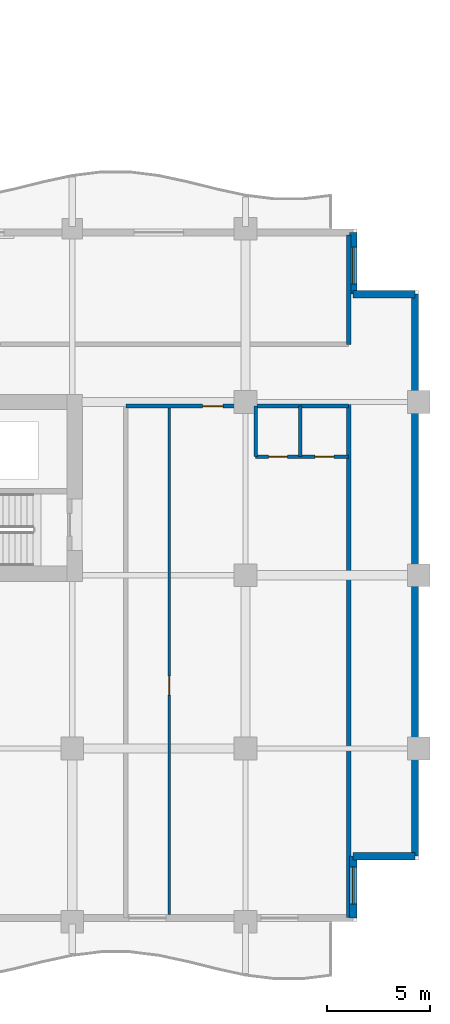
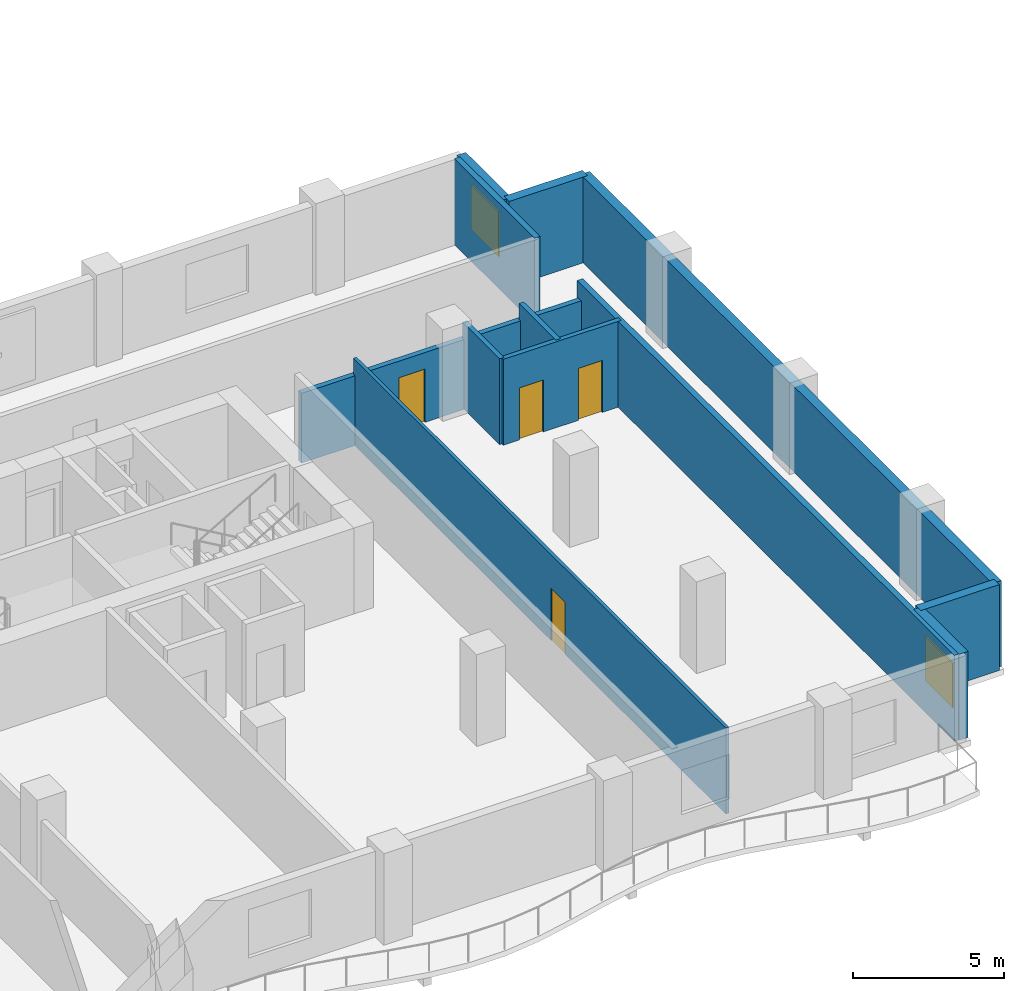
# One storey, part 9 of 16: 12 walls, 4 doors, 2 windows, 6 openings.
"""IFC4 building model written with IfcOpenShell, lengths in metres."""

from ifc_helpers import new_model, si_unit, direction, frame, frame_2d, origin, place, context, subcontext, project, spatial, rectangle, extrude, material, layer, layer_set, type_object, element, fill, save


model = new_model("IFC4")

# Units and contexts
model_context = context("Model", 3, precision=1e-05, world=origin(), true_north=direction((0.0, 1.0)))
body_context = subcontext(model_context, "Body", "Model", "MODEL_VIEW")
ifc_project = project(units=[si_unit("LENGTHUNIT", "METRE"), si_unit("AREAUNIT", "SQUARE_METRE"), si_unit("VOLUMEUNIT", "CUBIC_METRE"), si_unit("PLANEANGLEUNIT", "RADIAN"), si_unit("MASSUNIT", "GRAM", prefix="KILO")], contexts=[model_context])

# Site, building, storey
site_placement = place(None, origin())
site = spatial("IfcSite", under=ifc_project, at=site_placement, CompositionType="ELEMENT")
building_placement = place(site_placement, origin())
building = spatial("IfcBuilding", under=site, at=building_placement, Name="Koriwani Terraces Tower", CompositionType="ELEMENT")
storey_placement = place(building_placement, frame((0.0, 0.0, 186.5)))
storey = spatial("IfcBuildingStorey", under=building, at=storey_placement, Name="L45", CompositionType="ELEMENT", Elevation=186.5)

# Wall, opening, door
ifc_material_1 = material(Name="Autoclaved Cellular Concrete Blockwork", Category="masonry")
ifc_layer_1 = layer(ifc_material_1, 0.199951171875, Name="Autoclaved Cellular Concrete Blockwork")
ifc_layer_set_1 = layer_set([ifc_layer_1], Name="Autoclaved Cellular Concrete Blockwork")
wall_type_1 = type_object("IfcWallType", Name="WALL_CORRIDOR_200", PredefinedType="PARTITIONING", material=ifc_layer_set_1)
wall_1_placement = place(storey_placement, frame((61.39990234375, 25.0, 0.0), z_axis=(0.0, 0.0, 1.0), x_axis=(1.0, 0.0, 0.0)))
wall_1 = element("IfcWall", 1, at=wall_1_placement, inside=storey, type_object=wall_type_1, Name="L45 Interior Wall WRCOR-L45-SE-0", PredefinedType="PARTITIONING", context=body_context, shape_type="SweptSolid", body=[
    extrude(rectangle(XDim=10.800048828125, YDim=0.199951171875, at=frame_2d((5.39990234375, 0.0))), origin(), (0.0, 0.0, 1.0), 2.820068359375),
])
opening_1_placement = place(wall_1_placement, frame((3.719970703125, 0.0, 0.0)))
opening_1 = element("IfcOpeningElement", 2, at=opening_1_placement, cuts=wall_1, Name="Opening D-05", PredefinedType="OPENING", context=body_context, shape_type="SweptSolid", body=[
    extrude(rectangle(XDim=1.0, YDim=2.14990234375, at=frame_2d((0.5, 1.074951171875))), frame((0.0, 0.10986328125, 0.0), z_axis=(0.0, -1.0, 0.0), x_axis=(1.0, 0.0, 0.0)), (0.0, 0.0, 1.0), 0.219970703125),
])
ifc_material_2 = material(Name="Architectural Oak Fire Door", Category="wood")
door_type_1 = type_object("IfcDoorType", Name="DOOR_SUITE_ENTRY_1000X2150", OperationType="NOTDEFINED", PredefinedType="DOOR", material=ifc_material_2)
door_1_placement = place(opening_1_placement, origin())
door_1 = element("IfcDoor", 3, at=door_1_placement, inside=storey, type_object=door_type_1, Name="Apartment 45SE1 Entrance Door", OperationType="SINGLE_SWING_RIGHT", OverallHeight=2.14990234375, OverallWidth=1.0, PredefinedType="DOOR", context=body_context, shape_type="SweptSolid", body=[
    extrude(rectangle(XDim=1.0, YDim=2.14990234375, at=frame_2d((0.5, 1.074951171875))), frame((0.0, 0.02490234375, 0.0), z_axis=(0.0, -1.0, 0.0), x_axis=(1.0, 0.0, 0.0)), (0.0, 0.0, 1.0), 0.050048828125),
])
fill(opening_1, door_1)

# Walls
ifc_layer_2 = layer(ifc_material_1, 0.219970703125, Name="Autoclaved Cellular Concrete Blockwork")
ifc_layer_set_2 = layer_set([ifc_layer_2], Name="Autoclaved Cellular Concrete Blockwork")
wall_type_2 = type_object("IfcWallType", Name="WALL_DEMISING_220", PredefinedType="PARTITIONING", material=ifc_layer_set_2)
wall_2_placement = place(storey_placement, frame((72.199951171875, 0.199951171875, 0.0), z_axis=(0.0, 0.0, 1.0), x_axis=(0.0, 1.0, 0.0)))
element("IfcWall", 4, at=wall_2_placement, inside=storey, type_object=wall_type_2, Name="L45 Interior Wall WRDEME-L45-SE", PredefinedType="PARTITIONING", context=body_context, shape_type="SweptSolid", body=[
    extrude(rectangle(XDim=24.97998046875, YDim=0.219970703125, at=frame_2d((12.489990234375, 0.0))), origin(), (0.0, 0.0, 1.0), 3.469970703125),
])
wall_3_placement = place(storey_placement, frame((72.199951171875, 28.0, 0.0), z_axis=(0.0, 0.0, 1.0), x_axis=(0.0, 1.0, 0.0)))
element("IfcWall", 5, at=wall_3_placement, inside=storey, type_object=wall_type_2, Name="L45 Interior Wall WSEC-E-L45", PredefinedType="PARTITIONING", context=body_context, shape_type="SweptSolid", body=[
    extrude(rectangle(XDim=5.300048828125, YDim=0.219970703125, at=frame_2d((2.64990234375, 0.0))), origin(), (0.0, 0.0, 1.0), 3.469970703125),
])

# Wall, opening, window
ifc_material_3 = material(Name="Concrete C50/60", Category="concrete")
ifc_layer_3 = layer(ifc_material_3, 0.35009765625, Name="Concrete C50/60")
ifc_layer_set_3 = layer_set([ifc_layer_3], Name="Concrete C50/60")
wall_type_3 = type_object("IfcWallType", Name="WALL_EXT_BRUTALIST_350", PredefinedType="STANDARD", material=ifc_layer_set_3)
wall_4_placement = place(storey_placement, frame((72.425048828125, 33.425048828125, 0.0), z_axis=(0.0, 0.0, 1.0), x_axis=(0.0, -1.0, 0.0)))
wall_4 = element("IfcWall", 6, at=wall_4_placement, inside=storey, type_object=wall_type_3, Name="L45 Fair-Faced Brutalist Exterior Wall (N10)", PredefinedType="STANDARD", context=body_context, shape_type="SweptSolid", body=[
    extrude(rectangle(XDim=3.0, YDim=0.35009765625, at=frame_2d((1.5, 0.0))), origin(), (0.0, 0.0, 1.0), 3.469970703125),
])
opening_2_placement = place(wall_4_placement, frame((0.71240234375, 0.0, 0.85009765625)))
opening_2 = element("IfcOpeningElement", 7, at=opening_2_placement, cuts=wall_4, Name="Opening W-04", PredefinedType="OPENING", context=body_context, shape_type="SweptSolid", body=[
    extrude(rectangle(XDim=1.800048828125, YDim=1.800048828125, at=frame_2d((0.89990234375, 0.89990234375))), frame((0.0, 0.18505859375, 0.0), z_axis=(0.0, -1.0, 0.0), x_axis=(1.0, 0.0, 0.0)), (0.0, 0.0, 1.0), 0.3701171875),
])
ifc_material_4 = material(Name="Tempered Laminated Low-E Glass", Category="glass")
window_type = type_object("IfcWindowType", Name="WIN_RES_BED_1800X1800", PartitioningType="DOUBLE_PANEL_VERTICAL", PredefinedType="WINDOW", material=ifc_material_4)
window_1_placement = place(opening_2_placement, origin())
window_1 = element("IfcWindow", 8, at=window_1_placement, inside=storey, type_object=window_type, Name="L45 Exterior Window (N10-R62)", OverallHeight=1.800048828125, OverallWidth=1.800048828125, PartitioningType="SINGLE_PANEL", PredefinedType="WINDOW", context=body_context, shape_type="SweptSolid", body=[
    extrude(rectangle(XDim=1.800048828125, YDim=1.800048828125, at=frame_2d((0.89990234375, 0.89990234375))), frame((0.0, 0.030029296875, 0.0), z_axis=(0.0, -1.0, 0.0), x_axis=(1.0, 0.0, 0.0)), (0.0, 0.0, 1.0), 0.06005859375),
])
fill(opening_2, window_1)

# Walls
wall_5_placement = place(storey_placement, frame((72.425048828125, 30.425048828125, 0.0), z_axis=(0.0, 0.0, 1.0), x_axis=(1.0, 0.0, 0.0)))
element("IfcWall", 9, at=wall_5_placement, inside=storey, type_object=wall_type_3, Name="L45 Fair-Faced Brutalist Exterior Wall (N11)", PredefinedType="STANDARD", context=body_context, shape_type="SweptSolid", body=[
    extrude(rectangle(XDim=3.0, YDim=0.35009765625, at=frame_2d((1.5, 0.0))), origin(), (0.0, 0.0, 1.0), 3.469970703125),
])
wall_6_placement = place(storey_placement, frame((75.425048828125, 30.425048828125, 0.0), z_axis=(0.0, 0.0, 1.0), x_axis=(0.0, -1.0, 0.0)))
element("IfcWall", 10, at=wall_6_placement, inside=storey, type_object=wall_type_3, Name="L45 Fair-Faced Brutalist Exterior Wall (E_TIP)", PredefinedType="STANDARD", context=body_context, shape_type="SweptSolid", body=[
    extrude(rectangle(XDim=27.25, YDim=0.35009765625, at=frame_2d((13.625, 0.0))), origin(), (0.0, 0.0, 1.0), 3.469970703125),
])
wall_7_placement = place(storey_placement, frame((75.425048828125, 3.175048828125, 0.0), z_axis=(0.0, 0.0, 1.0), x_axis=(-1.0, 0.0, 0.0)))
element("IfcWall", 11, at=wall_7_placement, inside=storey, type_object=wall_type_3, Name="L45 Fair-Faced Brutalist Exterior Wall (N13)", PredefinedType="STANDARD", context=body_context, shape_type="SweptSolid", body=[
    extrude(rectangle(XDim=3.0, YDim=0.35009765625, at=frame_2d((1.5, 0.0))), origin(), (0.0, 0.0, 1.0), 3.469970703125),
])

# Wall, opening, window
wall_8_placement = place(storey_placement, frame((72.425048828125, 3.175048828125, 0.0), z_axis=(0.0, 0.0, 1.0), x_axis=(0.0, -1.0, 0.0)))
wall_8 = element("IfcWall", 12, at=wall_8_placement, inside=storey, type_object=wall_type_3, Name="L45 Fair-Faced Brutalist Exterior Wall (N14)", PredefinedType="STANDARD", context=body_context, shape_type="SweptSolid", body=[
    extrude(rectangle(XDim=3.0, YDim=0.35009765625, at=frame_2d((1.5, 0.0))), origin(), (0.0, 0.0, 1.0), 3.469970703125),
])
opening_3_placement = place(wall_8_placement, frame((0.5224609375, 0.0, 0.85009765625)))
opening_3 = element("IfcOpeningElement", 13, at=opening_3_placement, cuts=wall_8, Name="Opening W-04", PredefinedType="OPENING", context=body_context, shape_type="SweptSolid", body=[
    extrude(rectangle(XDim=1.800048828125, YDim=1.800048828125, at=frame_2d((0.89990234375, 0.89990234375))), frame((0.0, 0.18505859375, 0.0), z_axis=(0.0, -1.0, 0.0), x_axis=(1.0, 0.0, 0.0)), (0.0, 0.0, 1.0), 0.3701171875),
])
window_2_placement = place(opening_3_placement, origin())
window_2 = element("IfcWindow", 14, at=window_2_placement, inside=storey, type_object=window_type, Name="L45 Exterior Window (N14-R61)", OverallHeight=1.800048828125, OverallWidth=1.800048828125, PartitioningType="SINGLE_PANEL", PredefinedType="WINDOW", context=body_context, shape_type="SweptSolid", body=[
    extrude(rectangle(XDim=1.800048828125, YDim=1.800048828125, at=frame_2d((0.89990234375, 0.89990234375))), frame((0.0, 0.030029296875, 0.0), z_axis=(0.0, -1.0, 0.0), x_axis=(1.0, 0.0, 0.0)), (0.0, 0.0, 1.0), 0.06005859375),
])
fill(opening_3, window_2)

# Wall, opening, door
ifc_material_5 = material(Name="Fire-Rated Acoustic Gypsum Partition", Category="masonry")
ifc_layer_4 = layer(ifc_material_5, 0.125, Name="Fire-Rated Acoustic Gypsum Partition")
ifc_layer_set_4 = layer_set([ifc_layer_4], Name="Fire-Rated Acoustic Gypsum Partition")
wall_type_4 = type_object("IfcWallType", Name="WALL_INT_125", PredefinedType="PARTITIONING", material=ifc_layer_set_4)
wall_9_placement = place(storey_placement, frame((63.5, 0.35009765625, 0.0), z_axis=(0.0, 0.0, 1.0), x_axis=(0.0, 1.0, 0.0)))
wall_9 = element("IfcWall", 15, at=wall_9_placement, inside=storey, type_object=wall_type_4, Name="L45 Interior Wall WRBED1-L45-SE-0", PredefinedType="PARTITIONING", context=body_context, shape_type="SweptSolid", body=[
    extrude(rectangle(XDim=24.64990234375, YDim=0.125, at=frame_2d((12.324951171875, 0.0))), origin(), (0.0, 0.0, 1.0), 3.469970703125),
])
opening_4_placement = place(wall_9_placement, frame((10.639892578125, 0.0, 0.0)))
opening_4 = element("IfcOpeningElement", 16, at=opening_4_placement, cuts=wall_9, Name="Opening D-06", PredefinedType="OPENING", context=body_context, shape_type="SweptSolid", body=[
    extrude(rectangle(XDim=0.919921875, YDim=2.10009765625, at=frame_2d((0.4599609375, 1.050048828125))), frame((0.0, 0.072509765625, 0.0), z_axis=(0.0, -1.0, 0.0), x_axis=(1.0, 0.0, 0.0)), (0.0, 0.0, 1.0), 0.14501953125),
])
door_type_2 = type_object("IfcDoorType", Name="DOOR_ROOM_INT_920X2100", OperationType="NOTDEFINED", PredefinedType="DOOR", material=ifc_material_2)
door_2_placement = place(opening_4_placement, origin())
door_2 = element("IfcDoor", 17, at=door_2_placement, inside=storey, type_object=door_type_2, Name="Apartment 45SE1 Master Bedroom Door", OperationType="SINGLE_SWING_LEFT", OverallHeight=2.10009765625, OverallWidth=0.919921875, PredefinedType="DOOR", context=body_context, shape_type="SweptSolid", body=[
    extrude(rectangle(XDim=0.919921875, YDim=2.10009765625, at=frame_2d((0.4599609375, 1.050048828125))), frame((0.0, 0.02490234375, 0.0), z_axis=(0.0, -1.0, 0.0), x_axis=(1.0, 0.0, 0.0)), (0.0, 0.0, 1.0), 0.050048828125),
])
fill(opening_4, door_2)

# Wall, openings, doors
ifc_layer_5 = layer(ifc_material_5, 0.179931640625, Name="Fire-Rated Acoustic Gypsum Partition")
ifc_layer_set_5 = layer_set([ifc_layer_5], Name="Fire-Rated Acoustic Gypsum Partition")
wall_type_5 = type_object("IfcWallType", Name="WALL_PLUMBING_180", PredefinedType="PLUMBINGWALL", material=ifc_layer_set_5)
wall_10_placement = place(storey_placement, frame((67.699951171875, 22.550048828125, 0.0), z_axis=(0.0, 0.0, 1.0), x_axis=(1.0, 0.0, 0.0)))
wall_10 = element("IfcWall", 18, at=wall_10_placement, inside=storey, type_object=wall_type_5, Name="L45 Interior Wall WRSVC-L45-SE-0", PredefinedType="PLUMBINGWALL", context=body_context, shape_type="SweptSolid", body=[
    extrude(rectangle(XDim=4.5, YDim=0.179931640625, at=frame_2d((2.25, 0.0))), origin(), (0.0, 0.0, 1.0), 3.469970703125),
])
opening_5_placement = place(wall_10_placement, frame((0.6298828125, 0.0, 0.0)))
opening_5 = element("IfcOpeningElement", 19, at=opening_5_placement, cuts=wall_10, Name="Opening D-07", PredefinedType="OPENING", context=body_context, shape_type="SweptSolid", body=[
    extrude(rectangle(XDim=0.89990234375, YDim=2.10009765625, at=frame_2d((0.449951171875, 1.050048828125))), frame((0.0, 0.10009765625, 0.0), z_axis=(0.0, -1.0, 0.0), x_axis=(1.0, 0.0, 0.0)), (0.0, 0.0, 1.0), 0.199951171875),
])
opening_6_placement = place(wall_10_placement, frame((2.8701171875, 0.0, 0.0)))
opening_6 = element("IfcOpeningElement", 20, at=opening_6_placement, cuts=wall_10, Name="Opening D-06", PredefinedType="OPENING", context=body_context, shape_type="SweptSolid", body=[
    extrude(rectangle(XDim=0.919921875, YDim=2.10009765625, at=frame_2d((0.4599609375, 1.050048828125))), frame((0.0, 0.10009765625, 0.0), z_axis=(0.0, -1.0, 0.0), x_axis=(1.0, 0.0, 0.0)), (0.0, 0.0, 1.0), 0.199951171875),
])
door_type_3 = type_object("IfcDoorType", Name="DOOR_BATH_INT_900X2100", OperationType="NOTDEFINED", PredefinedType="DOOR", material=ifc_material_2)
door_3_placement = place(opening_5_placement, origin())
door_3 = element("IfcDoor", 21, at=door_3_placement, inside=storey, type_object=door_type_3, Name="Apartment 45SE1 Bathroom Door", OperationType="SINGLE_SWING_LEFT", OverallHeight=2.10009765625, OverallWidth=0.89990234375, PredefinedType="DOOR", context=body_context, shape_type="SweptSolid", body=[
    extrude(rectangle(XDim=0.89990234375, YDim=2.10009765625, at=frame_2d((0.449951171875, 1.050048828125))), frame((0.0, 0.02490234375, 0.0), z_axis=(0.0, -1.0, 0.0), x_axis=(1.0, 0.0, 0.0)), (0.0, 0.0, 1.0), 0.050048828125),
])
fill(opening_5, door_3)
door_4_placement = place(opening_6_placement, origin())
door_4 = element("IfcDoor", 22, at=door_4_placement, inside=storey, type_object=door_type_2, Name="Apartment 45SE1 Kitchen Door", OperationType="SINGLE_SWING_RIGHT", OverallHeight=2.10009765625, OverallWidth=0.919921875, PredefinedType="DOOR", context=body_context, shape_type="SweptSolid", body=[
    extrude(rectangle(XDim=0.919921875, YDim=2.10009765625, at=frame_2d((0.4599609375, 1.050048828125))), frame((0.0, 0.02490234375, 0.0), z_axis=(0.0, -1.0, 0.0), x_axis=(1.0, 0.0, 0.0)), (0.0, 0.0, 1.0), 0.050048828125),
])
fill(opening_6, door_4)

# Walls
for number, where, z_axis, x_axis, name in (
    (23, (67.699951171875, 22.550048828125, 0.0), (0.0, 0.0, 1.0), (0.0, 1.0, 0.0), "L45 Interior Wall WRSVCS-L45-SE-0"),
    (24, (69.860107421875, 22.550048828125, 0.0), (0.0, 0.0, 1.0), (0.0, 1.0, 0.0), "L45 Interior Wall WRSVCM-L45-SE-0"),
):
    element("IfcWall", number, at=place(storey_placement, frame(where, z_axis=z_axis, x_axis=x_axis)), inside=storey, type_object=wall_type_5, Name=name, PredefinedType="PLUMBINGWALL", context=body_context, shape_type="SweptSolid", body=[
        extrude(rectangle(XDim=2.449951171875, YDim=0.179931640625, at=frame_2d((1.22509765625, 0.0))), origin(), (0.0, 0.0, 1.0), 3.469970703125),
    ])

save(model, "model.ifc")
